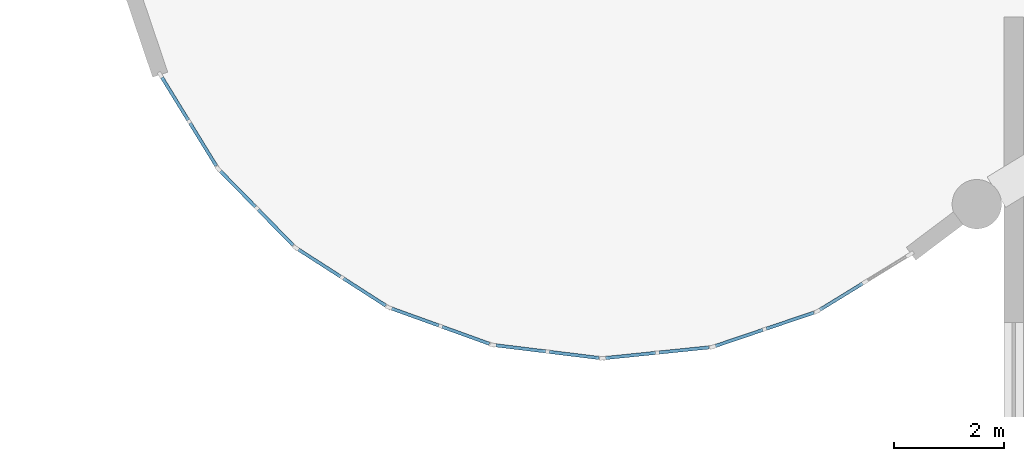
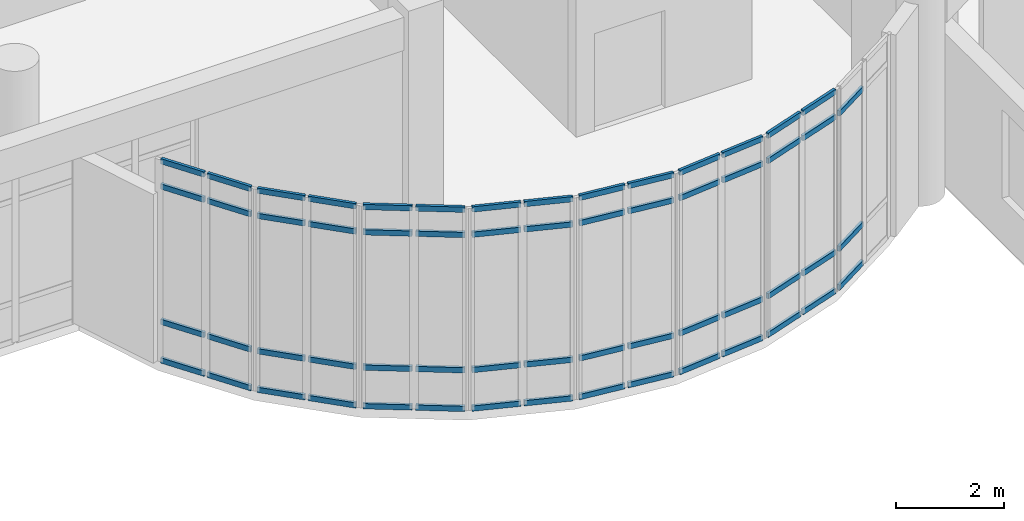
# One storey, part 34 of 68: 59 members, 8 elements without a shape of their own.
"""IFC4 building model written with IfcOpenShell, lengths in metres."""

from ifc_helpers import new_model, si_unit, direction, frame, origin, origin_2d, place, context, subcontext, project, spatial, rectangle, extrude, material, layer, layer_set, material_profile, profile_set, type_object, element, aggregate, save


model = new_model("IFC4")

# Units and contexts
model_context = context("Model", 3, precision=1e-05, world=origin(), true_north=direction((0.0, 1.0)))
body_context = subcontext(model_context, "Body", "Model", "MODEL_VIEW")
ifc_project = project(units=[si_unit("LENGTHUNIT", "METRE"), si_unit("AREAUNIT", "SQUARE_METRE"), si_unit("VOLUMEUNIT", "CUBIC_METRE"), si_unit("PLANEANGLEUNIT", "RADIAN"), si_unit("MASSUNIT", "GRAM", prefix="KILO")], contexts=[model_context])

# Site, building, storey
site_placement = place(None, origin())
site = spatial("IfcSite", under=ifc_project, at=site_placement, CompositionType="ELEMENT")
building_placement = place(site_placement, origin())
building = spatial("IfcBuilding", under=site, at=building_placement, Name="Miralva Faculty of Natural Sciences", CompositionType="ELEMENT")
storey_placement = place(building_placement, frame((0.0, 0.0, 5.39990234375)))
storey = spatial("IfcBuildingStorey", under=building, at=storey_placement, Name="L01", CompositionType="ELEMENT", Elevation=5.39990234375)

# Curtain wall, members
ifc_material_1 = material(Name="Laminated solar-control glass", Category="glass")
ifc_layer = layer(ifc_material_1, 0.179931640625, Name="CW-RND-L01")
ifc_layer_set = layer_set([ifc_layer], Name="Laminated solar-control glass")
curtain_wall_type = type_object("IfcCurtainWallType", Name="CW-RND-L01", PredefinedType="USERDEFINED", material=ifc_layer_set)
curtain_wall_1_placement = place(storey_placement, origin())
curtain_wall_1 = element("IfcCurtainWall", 1, at=curtain_wall_1_placement, inside=storey, type_object=curtain_wall_type, Name="Curtain wall CW-05 L01-47", ObjectType="UNITISED CURTAIN WALL", PredefinedType="USERDEFINED")
ifc_material_2 = material(Name="Anodised aluminium", Category="aluminium")
ifc_material_profile = material_profile(ifc_material_2, rectangle(XDim=0.06005859375, YDim=0.1201171875, at=origin_2d()), Name="TRANSOM 60x120")
ifc_profile_set = profile_set([ifc_material_profile], Name="Anodised aluminium")
member_type = type_object("IfcMemberType", Name="CW-T02", PredefinedType="USERDEFINED", material=ifc_profile_set)
member_1_placement = place(storey_placement, frame((61.864990234375, 11.86328125, 0.030029296875), z_axis=(0.852016327326, 0.52351521274, 0.0), x_axis=(-0.52351521274, 0.852016327326, 0.0)))
member_1 = element("IfcMember", 2, at=member_1_placement, type_object=member_type, Name="CW-05 transom 1.1", ObjectType="TRANSOM", PredefinedType="USERDEFINED", context=body_context, shape_type="SweptSolid", body=[
    extrude(rectangle(XDim=0.06005859375, YDim=0.1201171875, at=origin_2d()), origin(), (0.0, 0.0, 1.0), 0.91259765625),
])
member_2_placement = place(storey_placement, frame((61.864990234375, 11.86328125, 0.900146484375), z_axis=(0.852016327326, 0.52351521274, 0.0), x_axis=(-0.52351521274, 0.852016327326, 0.0)))
member_2 = element("IfcMember", 3, at=member_2_placement, type_object=member_type, Name="CW-05 transom 1.2", ObjectType="TRANSOM", PredefinedType="USERDEFINED", context=body_context, shape_type="SweptSolid", body=[
    extrude(rectangle(XDim=0.06005859375, YDim=0.1201171875, at=origin_2d()), origin(), (0.0, 0.0, 1.0), 0.91259765625),
])
member_3_placement = place(storey_placement, frame((61.864990234375, 11.86328125, 3.9501953125), z_axis=(0.852016327326, 0.52351521274, 0.0), x_axis=(-0.52351521274, 0.852016327326, 0.0)))
member_3 = element("IfcMember", 4, at=member_3_placement, type_object=member_type, Name="CW-05 transom 1.3", ObjectType="TRANSOM", PredefinedType="USERDEFINED", context=body_context, shape_type="SweptSolid", body=[
    extrude(rectangle(XDim=0.06005859375, YDim=0.1201171875, at=origin_2d()), origin(), (0.0, 0.0, 1.0), 0.91259765625),
])
aggregate(curtain_wall_1, [member_1, member_2, member_3])

curtain_wall_2_placement = place(storey_placement, origin())
curtain_wall_2 = element("IfcCurtainWall", 5, at=curtain_wall_2_placement, inside=storey, type_object=curtain_wall_type, Name="Curtain wall CW-05 L01-48", ObjectType="UNITISED CURTAIN WALL", PredefinedType="USERDEFINED")
member_4_placement = place(storey_placement, frame((59.962158203125, 11.20361328125, 0.030029296875), z_axis=(0.947174722358, 0.32071801528, 0.0), x_axis=(-0.32071801528, 0.947174722358, 0.0)))
member_4 = element("IfcMember", 6, at=member_4_placement, type_object=member_type, Name="CW-05 transom 1.1", ObjectType="TRANSOM", PredefinedType="USERDEFINED", context=body_context, shape_type="SweptSolid", body=[
    extrude(rectangle(XDim=0.06005859375, YDim=0.1201171875, at=origin_2d()), origin(), (0.0, 0.0, 1.0), 0.91259765625),
])
member_5_placement = place(storey_placement, frame((59.962158203125, 11.20361328125, 0.900146484375), z_axis=(0.947174722358, 0.32071801528, 0.0), x_axis=(-0.32071801528, 0.947174722358, 0.0)))
member_5 = element("IfcMember", 7, at=member_5_placement, type_object=member_type, Name="CW-05 transom 1.2", ObjectType="TRANSOM", PredefinedType="USERDEFINED", context=body_context, shape_type="SweptSolid", body=[
    extrude(rectangle(XDim=0.06005859375, YDim=0.1201171875, at=origin_2d()), origin(), (0.0, 0.0, 1.0), 0.91259765625),
])
member_6_placement = place(storey_placement, frame((59.962158203125, 11.20361328125, 3.9501953125), z_axis=(0.947174722358, 0.32071801528, 0.0), x_axis=(-0.32071801528, 0.947174722358, 0.0)))
member_6 = element("IfcMember", 8, at=member_6_placement, type_object=member_type, Name="CW-05 transom 1.3", ObjectType="TRANSOM", PredefinedType="USERDEFINED", context=body_context, shape_type="SweptSolid", body=[
    extrude(rectangle(XDim=0.06005859375, YDim=0.1201171875, at=origin_2d()), origin(), (0.0, 0.0, 1.0), 0.91259765625),
])
member_7_placement = place(storey_placement, frame((59.962158203125, 11.20361328125, 4.52001953125), z_axis=(0.947174722358, 0.32071801528, 0.0), x_axis=(-0.32071801528, 0.947174722358, 0.0)))
member_7 = element("IfcMember", 9, at=member_7_placement, type_object=member_type, Name="CW-05 transom 1.4", ObjectType="TRANSOM", PredefinedType="USERDEFINED", context=body_context, shape_type="SweptSolid", body=[
    extrude(rectangle(XDim=0.06005859375, YDim=0.1201171875, at=origin_2d()), origin(), (0.0, 0.0, 1.0), 0.91259765625),
])
member_8_placement = place(storey_placement, frame((60.88818359375, 11.517333984375, 0.030029296875), z_axis=(0.947174722358, 0.32071801528, 0.0), x_axis=(-0.32071801528, 0.947174722358, 0.0)))
member_8 = element("IfcMember", 10, at=member_8_placement, type_object=member_type, Name="CW-05 transom 2.1", ObjectType="TRANSOM", PredefinedType="USERDEFINED", context=body_context, shape_type="SweptSolid", body=[
    extrude(rectangle(XDim=0.06005859375, YDim=0.1201171875, at=origin_2d()), origin(), (0.0, 0.0, 1.0), 0.91259765625),
])
member_9_placement = place(storey_placement, frame((60.88818359375, 11.517333984375, 0.900146484375), z_axis=(0.947174722358, 0.32071801528, 0.0), x_axis=(-0.32071801528, 0.947174722358, 0.0)))
member_9 = element("IfcMember", 11, at=member_9_placement, type_object=member_type, Name="CW-05 transom 2.2", ObjectType="TRANSOM", PredefinedType="USERDEFINED", context=body_context, shape_type="SweptSolid", body=[
    extrude(rectangle(XDim=0.06005859375, YDim=0.1201171875, at=origin_2d()), origin(), (0.0, 0.0, 1.0), 0.91259765625),
])
member_10_placement = place(storey_placement, frame((60.88818359375, 11.517333984375, 3.9501953125), z_axis=(0.947174722358, 0.32071801528, 0.0), x_axis=(-0.32071801528, 0.947174722358, 0.0)))
member_10 = element("IfcMember", 12, at=member_10_placement, type_object=member_type, Name="CW-05 transom 2.3", ObjectType="TRANSOM", PredefinedType="USERDEFINED", context=body_context, shape_type="SweptSolid", body=[
    extrude(rectangle(XDim=0.06005859375, YDim=0.1201171875, at=origin_2d()), origin(), (0.0, 0.0, 1.0), 0.91259765625),
])
member_11_placement = place(storey_placement, frame((60.88818359375, 11.517333984375, 4.52001953125), z_axis=(0.947174722358, 0.32071801528, 0.0), x_axis=(-0.32071801528, 0.947174722358, 0.0)))
member_11 = element("IfcMember", 13, at=member_11_placement, type_object=member_type, Name="CW-05 transom 2.4", ObjectType="TRANSOM", PredefinedType="USERDEFINED", context=body_context, shape_type="SweptSolid", body=[
    extrude(rectangle(XDim=0.06005859375, YDim=0.1201171875, at=origin_2d()), origin(), (0.0, 0.0, 1.0), 0.91259765625),
])
aggregate(curtain_wall_2, [member_4, member_5, member_6, member_7, member_8, member_9, member_10, member_11])

curtain_wall_3_placement = place(storey_placement, origin())
curtain_wall_3 = element("IfcCurtainWall", 14, at=curtain_wall_3_placement, inside=storey, type_object=curtain_wall_type, Name="Curtain wall CW-05 L01-49", ObjectType="UNITISED CURTAIN WALL", PredefinedType="USERDEFINED")
member_12_placement = place(storey_placement, frame((57.96044921875, 10.983642578125, 0.030029296875), z_axis=(0.994766112877, 0.102178180995, 0.0), x_axis=(-0.102178180995, 0.994766112877, 0.0)))
member_12 = element("IfcMember", 15, at=member_12_placement, type_object=member_type, Name="CW-05 transom 1.1", ObjectType="TRANSOM", PredefinedType="USERDEFINED", context=body_context, shape_type="SweptSolid", body=[
    extrude(rectangle(XDim=0.06005859375, YDim=0.1201171875, at=origin_2d()), origin(), (0.0, 0.0, 1.0), 0.912841796875),
])
member_13_placement = place(storey_placement, frame((57.96044921875, 10.983642578125, 0.900146484375), z_axis=(0.994766112877, 0.102178180995, 0.0), x_axis=(-0.102178180995, 0.994766112877, 0.0)))
member_13 = element("IfcMember", 16, at=member_13_placement, type_object=member_type, Name="CW-05 transom 1.2", ObjectType="TRANSOM", PredefinedType="USERDEFINED", context=body_context, shape_type="SweptSolid", body=[
    extrude(rectangle(XDim=0.06005859375, YDim=0.1201171875, at=origin_2d()), origin(), (0.0, 0.0, 1.0), 0.912841796875),
])
member_14_placement = place(storey_placement, frame((57.96044921875, 10.983642578125, 3.9501953125), z_axis=(0.994766112877, 0.102178180995, 0.0), x_axis=(-0.102178180995, 0.994766112877, 0.0)))
member_14 = element("IfcMember", 17, at=member_14_placement, type_object=member_type, Name="CW-05 transom 1.3", ObjectType="TRANSOM", PredefinedType="USERDEFINED", context=body_context, shape_type="SweptSolid", body=[
    extrude(rectangle(XDim=0.06005859375, YDim=0.1201171875, at=origin_2d()), origin(), (0.0, 0.0, 1.0), 0.912841796875),
])
member_15_placement = place(storey_placement, frame((57.96044921875, 10.983642578125, 4.52001953125), z_axis=(0.994766112877, 0.102178180995, 0.0), x_axis=(-0.102178180995, 0.994766112877, 0.0)))
member_15 = element("IfcMember", 18, at=member_15_placement, type_object=member_type, Name="CW-05 transom 1.4", ObjectType="TRANSOM", PredefinedType="USERDEFINED", context=body_context, shape_type="SweptSolid", body=[
    extrude(rectangle(XDim=0.06005859375, YDim=0.1201171875, at=origin_2d()), origin(), (0.0, 0.0, 1.0), 0.912841796875),
])
member_16_placement = place(storey_placement, frame((58.93310546875, 11.08349609375, 0.030029296875), z_axis=(0.994793266196, 0.101913480619, 0.0), x_axis=(-0.101913480619, 0.994793266196, 0.0)))
member_16 = element("IfcMember", 19, at=member_16_placement, type_object=member_type, Name="CW-05 transom 2.1", ObjectType="TRANSOM", PredefinedType="USERDEFINED", context=body_context, shape_type="SweptSolid", body=[
    extrude(rectangle(XDim=0.06005859375, YDim=0.1201171875, at=origin_2d()), origin(), (0.0, 0.0, 1.0), 0.91259765625),
])
member_17_placement = place(storey_placement, frame((58.93310546875, 11.08349609375, 0.900146484375), z_axis=(0.994793266196, 0.101913480619, 0.0), x_axis=(-0.101913480619, 0.994793266196, 0.0)))
member_17 = element("IfcMember", 20, at=member_17_placement, type_object=member_type, Name="CW-05 transom 2.2", ObjectType="TRANSOM", PredefinedType="USERDEFINED", context=body_context, shape_type="SweptSolid", body=[
    extrude(rectangle(XDim=0.06005859375, YDim=0.1201171875, at=origin_2d()), origin(), (0.0, 0.0, 1.0), 0.91259765625),
])
member_18_placement = place(storey_placement, frame((58.93310546875, 11.08349609375, 3.9501953125), z_axis=(0.994793266196, 0.101913480619, 0.0), x_axis=(-0.101913480619, 0.994793266196, 0.0)))
member_18 = element("IfcMember", 21, at=member_18_placement, type_object=member_type, Name="CW-05 transom 2.3", ObjectType="TRANSOM", PredefinedType="USERDEFINED", context=body_context, shape_type="SweptSolid", body=[
    extrude(rectangle(XDim=0.06005859375, YDim=0.1201171875, at=origin_2d()), origin(), (0.0, 0.0, 1.0), 0.91259765625),
])
member_19_placement = place(storey_placement, frame((58.93310546875, 11.08349609375, 4.52001953125), z_axis=(0.994793266196, 0.101913480619, 0.0), x_axis=(-0.101913480619, 0.994793266196, 0.0)))
member_19 = element("IfcMember", 22, at=member_19_placement, type_object=member_type, Name="CW-05 transom 2.4", ObjectType="TRANSOM", PredefinedType="USERDEFINED", context=body_context, shape_type="SweptSolid", body=[
    extrude(rectangle(XDim=0.06005859375, YDim=0.1201171875, at=origin_2d()), origin(), (0.0, 0.0, 1.0), 0.91259765625),
])
aggregate(curtain_wall_3, [member_12, member_13, member_14, member_15, member_16, member_17, member_18, member_19])

curtain_wall_4_placement = place(storey_placement, origin())
curtain_wall_4 = element("IfcCurtainWall", 23, at=curtain_wall_4_placement, inside=storey, type_object=curtain_wall_type, Name="Curtain wall CW-05 L01-50", ObjectType="UNITISED CURTAIN WALL", PredefinedType="USERDEFINED")
member_20_placement = place(storey_placement, frame((55.9599609375, 11.214599609375, 0.030029296875), z_axis=(0.99256727955, -0.121697146913, 0.0), x_axis=(0.121697146913, 0.99256727955, 0.0)))
member_20 = element("IfcMember", 24, at=member_20_placement, type_object=member_type, Name="CW-05 transom 1.1", ObjectType="TRANSOM", PredefinedType="USERDEFINED", context=body_context, shape_type="SweptSolid", body=[
    extrude(rectangle(XDim=0.06005859375, YDim=0.1201171875, at=origin_2d()), origin(), (0.0, 0.0, 1.0), 0.912841796875),
])
member_21_placement = place(storey_placement, frame((55.9599609375, 11.214599609375, 0.900146484375), z_axis=(0.99256727955, -0.121697146913, 0.0), x_axis=(0.121697146913, 0.99256727955, 0.0)))
member_21 = element("IfcMember", 25, at=member_21_placement, type_object=member_type, Name="CW-05 transom 1.2", ObjectType="TRANSOM", PredefinedType="USERDEFINED", context=body_context, shape_type="SweptSolid", body=[
    extrude(rectangle(XDim=0.06005859375, YDim=0.1201171875, at=origin_2d()), origin(), (0.0, 0.0, 1.0), 0.912841796875),
])
member_22_placement = place(storey_placement, frame((55.9599609375, 11.214599609375, 3.9501953125), z_axis=(0.99256727955, -0.121697146913, 0.0), x_axis=(0.121697146913, 0.99256727955, 0.0)))
member_22 = element("IfcMember", 26, at=member_22_placement, type_object=member_type, Name="CW-05 transom 1.3", ObjectType="TRANSOM", PredefinedType="USERDEFINED", context=body_context, shape_type="SweptSolid", body=[
    extrude(rectangle(XDim=0.06005859375, YDim=0.1201171875, at=origin_2d()), origin(), (0.0, 0.0, 1.0), 0.912841796875),
])
member_23_placement = place(storey_placement, frame((55.9599609375, 11.214599609375, 4.52001953125), z_axis=(0.99256727955, -0.121697146913, 0.0), x_axis=(0.121697146913, 0.99256727955, 0.0)))
member_23 = element("IfcMember", 27, at=member_23_placement, type_object=member_type, Name="CW-05 transom 1.4", ObjectType="TRANSOM", PredefinedType="USERDEFINED", context=body_context, shape_type="SweptSolid", body=[
    extrude(rectangle(XDim=0.06005859375, YDim=0.1201171875, at=origin_2d()), origin(), (0.0, 0.0, 1.0), 0.912841796875),
])
member_24_placement = place(storey_placement, frame((56.930419921875, 11.095458984375, 0.030029296875), z_axis=(0.992563316744, -0.121729463374, 0.0), x_axis=(0.121729463374, 0.992563316744, 0.0)))
member_24 = element("IfcMember", 28, at=member_24_placement, type_object=member_type, Name="CW-05 transom 2.1", ObjectType="TRANSOM", PredefinedType="USERDEFINED", context=body_context, shape_type="SweptSolid", body=[
    extrude(rectangle(XDim=0.06005859375, YDim=0.1201171875, at=origin_2d()), origin(), (0.0, 0.0, 1.0), 0.91259765625),
])
member_25_placement = place(storey_placement, frame((56.930419921875, 11.095458984375, 0.900146484375), z_axis=(0.992563316744, -0.121729463374, 0.0), x_axis=(0.121729463374, 0.992563316744, 0.0)))
member_25 = element("IfcMember", 29, at=member_25_placement, type_object=member_type, Name="CW-05 transom 2.2", ObjectType="TRANSOM", PredefinedType="USERDEFINED", context=body_context, shape_type="SweptSolid", body=[
    extrude(rectangle(XDim=0.06005859375, YDim=0.1201171875, at=origin_2d()), origin(), (0.0, 0.0, 1.0), 0.91259765625),
])
member_26_placement = place(storey_placement, frame((56.930419921875, 11.095458984375, 3.9501953125), z_axis=(0.992563316744, -0.121729463374, 0.0), x_axis=(0.121729463374, 0.992563316744, 0.0)))
member_26 = element("IfcMember", 30, at=member_26_placement, type_object=member_type, Name="CW-05 transom 2.3", ObjectType="TRANSOM", PredefinedType="USERDEFINED", context=body_context, shape_type="SweptSolid", body=[
    extrude(rectangle(XDim=0.06005859375, YDim=0.1201171875, at=origin_2d()), origin(), (0.0, 0.0, 1.0), 0.91259765625),
])
member_27_placement = place(storey_placement, frame((56.930419921875, 11.095458984375, 4.52001953125), z_axis=(0.992563316744, -0.121729463374, 0.0), x_axis=(0.121729463374, 0.992563316744, 0.0)))
member_27 = element("IfcMember", 31, at=member_27_placement, type_object=member_type, Name="CW-05 transom 2.4", ObjectType="TRANSOM", PredefinedType="USERDEFINED", context=body_context, shape_type="SweptSolid", body=[
    extrude(rectangle(XDim=0.06005859375, YDim=0.1201171875, at=origin_2d()), origin(), (0.0, 0.0, 1.0), 0.91259765625),
])
aggregate(curtain_wall_4, [member_20, member_21, member_22, member_23, member_24, member_25, member_26, member_27])

curtain_wall_5_placement = place(storey_placement, origin())
curtain_wall_5 = element("IfcCurtainWall", 32, at=curtain_wall_5_placement, inside=storey, type_object=curtain_wall_type, Name="Curtain wall CW-05 L01-51", ObjectType="UNITISED CURTAIN WALL", PredefinedType="USERDEFINED")
member_28_placement = place(storey_placement, frame((54.06103515625, 11.885009765625, 0.030029296875), z_axis=(0.94061086064, -0.339486684344, 0.0), x_axis=(0.339486684344, 0.94061086064, 0.0)))
member_28 = element("IfcMember", 33, at=member_28_placement, type_object=member_type, Name="CW-05 transom 1.1", ObjectType="TRANSOM", PredefinedType="USERDEFINED", context=body_context, shape_type="SweptSolid", body=[
    extrude(rectangle(XDim=0.06005859375, YDim=0.1201171875, at=origin_2d()), origin(), (0.0, 0.0, 1.0), 0.91259765625),
])
member_29_placement = place(storey_placement, frame((54.06103515625, 11.885009765625, 0.900146484375), z_axis=(0.94061086064, -0.339486684344, 0.0), x_axis=(0.339486684344, 0.94061086064, 0.0)))
member_29 = element("IfcMember", 34, at=member_29_placement, type_object=member_type, Name="CW-05 transom 1.2", ObjectType="TRANSOM", PredefinedType="USERDEFINED", context=body_context, shape_type="SweptSolid", body=[
    extrude(rectangle(XDim=0.06005859375, YDim=0.1201171875, at=origin_2d()), origin(), (0.0, 0.0, 1.0), 0.91259765625),
])
member_30_placement = place(storey_placement, frame((54.06103515625, 11.885009765625, 3.9501953125), z_axis=(0.94061086064, -0.339486684344, 0.0), x_axis=(0.339486684344, 0.94061086064, 0.0)))
member_30 = element("IfcMember", 35, at=member_30_placement, type_object=member_type, Name="CW-05 transom 1.3", ObjectType="TRANSOM", PredefinedType="USERDEFINED", context=body_context, shape_type="SweptSolid", body=[
    extrude(rectangle(XDim=0.06005859375, YDim=0.1201171875, at=origin_2d()), origin(), (0.0, 0.0, 1.0), 0.91259765625),
])
member_31_placement = place(storey_placement, frame((54.06103515625, 11.885009765625, 4.52001953125), z_axis=(0.94061086064, -0.339486684344, 0.0), x_axis=(0.339486684344, 0.94061086064, 0.0)))
member_31 = element("IfcMember", 36, at=member_31_placement, type_object=member_type, Name="CW-05 transom 1.4", ObjectType="TRANSOM", PredefinedType="USERDEFINED", context=body_context, shape_type="SweptSolid", body=[
    extrude(rectangle(XDim=0.06005859375, YDim=0.1201171875, at=origin_2d()), origin(), (0.0, 0.0, 1.0), 0.91259765625),
])
member_32_placement = place(storey_placement, frame((54.980712890625, 11.552978515625, 0.030029296875), z_axis=(0.940525411881, -0.339723342744, 0.0), x_axis=(0.339723342744, 0.940525411881, 0.0)))
member_32 = element("IfcMember", 37, at=member_32_placement, type_object=member_type, Name="CW-05 transom 2.1", ObjectType="TRANSOM", PredefinedType="USERDEFINED", context=body_context, shape_type="SweptSolid", body=[
    extrude(rectangle(XDim=0.06005859375, YDim=0.1201171875, at=origin_2d()), origin(), (0.0, 0.0, 1.0), 0.91259765625),
])
member_33_placement = place(storey_placement, frame((54.980712890625, 11.552978515625, 0.900146484375), z_axis=(0.940525411881, -0.339723342744, 0.0), x_axis=(0.339723342744, 0.940525411881, 0.0)))
member_33 = element("IfcMember", 38, at=member_33_placement, type_object=member_type, Name="CW-05 transom 2.2", ObjectType="TRANSOM", PredefinedType="USERDEFINED", context=body_context, shape_type="SweptSolid", body=[
    extrude(rectangle(XDim=0.06005859375, YDim=0.1201171875, at=origin_2d()), origin(), (0.0, 0.0, 1.0), 0.91259765625),
])
member_34_placement = place(storey_placement, frame((54.980712890625, 11.552978515625, 3.9501953125), z_axis=(0.940525411881, -0.339723342744, 0.0), x_axis=(0.339723342744, 0.940525411881, 0.0)))
member_34 = element("IfcMember", 39, at=member_34_placement, type_object=member_type, Name="CW-05 transom 2.3", ObjectType="TRANSOM", PredefinedType="USERDEFINED", context=body_context, shape_type="SweptSolid", body=[
    extrude(rectangle(XDim=0.06005859375, YDim=0.1201171875, at=origin_2d()), origin(), (0.0, 0.0, 1.0), 0.91259765625),
])
member_35_placement = place(storey_placement, frame((54.980712890625, 11.552978515625, 4.52001953125), z_axis=(0.940525411881, -0.339723342744, 0.0), x_axis=(0.339723342744, 0.940525411881, 0.0)))
member_35 = element("IfcMember", 40, at=member_35_placement, type_object=member_type, Name="CW-05 transom 2.4", ObjectType="TRANSOM", PredefinedType="USERDEFINED", context=body_context, shape_type="SweptSolid", body=[
    extrude(rectangle(XDim=0.06005859375, YDim=0.1201171875, at=origin_2d()), origin(), (0.0, 0.0, 1.0), 0.91259765625),
])
aggregate(curtain_wall_5, [member_28, member_29, member_30, member_31, member_32, member_33, member_34, member_35])

curtain_wall_6_placement = place(storey_placement, origin())
curtain_wall_6 = element("IfcCurtainWall", 41, at=curtain_wall_6_placement, inside=storey, type_object=curtain_wall_type, Name="Curtain wall CW-05 L01-52", ObjectType="UNITISED CURTAIN WALL", PredefinedType="USERDEFINED")
member_36_placement = place(storey_placement, frame((52.35888671875, 12.961181640625, 0.030029296875), z_axis=(0.841473826714, -0.540297879836, 0.0), x_axis=(0.540297879836, 0.841473826714, 0.0)))
member_36 = element("IfcMember", 42, at=member_36_placement, type_object=member_type, Name="CW-05 transom 1.1", ObjectType="TRANSOM", PredefinedType="USERDEFINED", context=body_context, shape_type="SweptSolid", body=[
    extrude(rectangle(XDim=0.06005859375, YDim=0.1201171875, at=origin_2d()), origin(), (0.0, 0.0, 1.0), 0.912841796875),
])
member_37_placement = place(storey_placement, frame((52.35888671875, 12.961181640625, 0.900146484375), z_axis=(0.841473826714, -0.540297879836, 0.0), x_axis=(0.540297879836, 0.841473826714, 0.0)))
member_37 = element("IfcMember", 43, at=member_37_placement, type_object=member_type, Name="CW-05 transom 1.2", ObjectType="TRANSOM", PredefinedType="USERDEFINED", context=body_context, shape_type="SweptSolid", body=[
    extrude(rectangle(XDim=0.06005859375, YDim=0.1201171875, at=origin_2d()), origin(), (0.0, 0.0, 1.0), 0.912841796875),
])
member_38_placement = place(storey_placement, frame((52.35888671875, 12.961181640625, 3.9501953125), z_axis=(0.841473826714, -0.540297879836, 0.0), x_axis=(0.540297879836, 0.841473826714, 0.0)))
member_38 = element("IfcMember", 44, at=member_38_placement, type_object=member_type, Name="CW-05 transom 1.3", ObjectType="TRANSOM", PredefinedType="USERDEFINED", context=body_context, shape_type="SweptSolid", body=[
    extrude(rectangle(XDim=0.06005859375, YDim=0.1201171875, at=origin_2d()), origin(), (0.0, 0.0, 1.0), 0.912841796875),
])
member_39_placement = place(storey_placement, frame((52.35888671875, 12.961181640625, 4.52001953125), z_axis=(0.841473826714, -0.540297879836, 0.0), x_axis=(0.540297879836, 0.841473826714, 0.0)))
member_39 = element("IfcMember", 45, at=member_39_placement, type_object=member_type, Name="CW-05 transom 1.4", ObjectType="TRANSOM", PredefinedType="USERDEFINED", context=body_context, shape_type="SweptSolid", body=[
    extrude(rectangle(XDim=0.06005859375, YDim=0.1201171875, at=origin_2d()), origin(), (0.0, 0.0, 1.0), 0.912841796875),
])
member_40_placement = place(storey_placement, frame((53.181640625, 12.432861328125, 0.030029296875), z_axis=(0.841395718797, -0.540419507781, 0.0), x_axis=(0.540419507781, 0.841395718797, 0.0)))
member_40 = element("IfcMember", 46, at=member_40_placement, type_object=member_type, Name="CW-05 transom 2.1", ObjectType="TRANSOM", PredefinedType="USERDEFINED", context=body_context, shape_type="SweptSolid", body=[
    extrude(rectangle(XDim=0.06005859375, YDim=0.1201171875, at=origin_2d()), origin(), (0.0, 0.0, 1.0), 0.91259765625),
])
member_41_placement = place(storey_placement, frame((53.181640625, 12.432861328125, 0.900146484375), z_axis=(0.841395718797, -0.540419507781, 0.0), x_axis=(0.540419507781, 0.841395718797, 0.0)))
member_41 = element("IfcMember", 47, at=member_41_placement, type_object=member_type, Name="CW-05 transom 2.2", ObjectType="TRANSOM", PredefinedType="USERDEFINED", context=body_context, shape_type="SweptSolid", body=[
    extrude(rectangle(XDim=0.06005859375, YDim=0.1201171875, at=origin_2d()), origin(), (0.0, 0.0, 1.0), 0.91259765625),
])
member_42_placement = place(storey_placement, frame((53.181640625, 12.432861328125, 3.9501953125), z_axis=(0.841395718797, -0.540419507781, 0.0), x_axis=(0.540419507781, 0.841395718797, 0.0)))
member_42 = element("IfcMember", 48, at=member_42_placement, type_object=member_type, Name="CW-05 transom 2.3", ObjectType="TRANSOM", PredefinedType="USERDEFINED", context=body_context, shape_type="SweptSolid", body=[
    extrude(rectangle(XDim=0.06005859375, YDim=0.1201171875, at=origin_2d()), origin(), (0.0, 0.0, 1.0), 0.91259765625),
])
member_43_placement = place(storey_placement, frame((53.181640625, 12.432861328125, 4.52001953125), z_axis=(0.841395718797, -0.540419507781, 0.0), x_axis=(0.540419507781, 0.841395718797, 0.0)))
member_43 = element("IfcMember", 49, at=member_43_placement, type_object=member_type, Name="CW-05 transom 2.4", ObjectType="TRANSOM", PredefinedType="USERDEFINED", context=body_context, shape_type="SweptSolid", body=[
    extrude(rectangle(XDim=0.06005859375, YDim=0.1201171875, at=origin_2d()), origin(), (0.0, 0.0, 1.0), 0.91259765625),
])
aggregate(curtain_wall_6, [member_36, member_37, member_38, member_39, member_40, member_41, member_42, member_43])

curtain_wall_7_placement = place(storey_placement, origin())
curtain_wall_7 = element("IfcCurtainWall", 50, at=curtain_wall_7_placement, inside=storey, type_object=curtain_wall_type, Name="Curtain wall CW-05 L01-53", ObjectType="UNITISED CURTAIN WALL", PredefinedType="USERDEFINED")
member_44_placement = place(storey_placement, frame((50.93896484375, 14.38916015625, 0.030029296875), z_axis=(0.699983155997, -0.71415935289, 0.0), x_axis=(0.71415935289, 0.699983155997, 0.0)))
member_44 = element("IfcMember", 51, at=member_44_placement, type_object=member_type, Name="CW-05 transom 1.1", ObjectType="TRANSOM", PredefinedType="USERDEFINED", context=body_context, shape_type="SweptSolid", body=[
    extrude(rectangle(XDim=0.06005859375, YDim=0.1201171875, at=origin_2d()), origin(), (0.0, 0.0, 1.0), 0.912841796875),
])
member_45_placement = place(storey_placement, frame((50.93896484375, 14.38916015625, 0.900146484375), z_axis=(0.699983155997, -0.71415935289, 0.0), x_axis=(0.71415935289, 0.699983155997, 0.0)))
member_45 = element("IfcMember", 52, at=member_45_placement, type_object=member_type, Name="CW-05 transom 1.2", ObjectType="TRANSOM", PredefinedType="USERDEFINED", context=body_context, shape_type="SweptSolid", body=[
    extrude(rectangle(XDim=0.06005859375, YDim=0.1201171875, at=origin_2d()), origin(), (0.0, 0.0, 1.0), 0.912841796875),
])
member_46_placement = place(storey_placement, frame((50.93896484375, 14.38916015625, 3.9501953125), z_axis=(0.699983155997, -0.71415935289, 0.0), x_axis=(0.71415935289, 0.699983155997, 0.0)))
member_46 = element("IfcMember", 53, at=member_46_placement, type_object=member_type, Name="CW-05 transom 1.3", ObjectType="TRANSOM", PredefinedType="USERDEFINED", context=body_context, shape_type="SweptSolid", body=[
    extrude(rectangle(XDim=0.06005859375, YDim=0.1201171875, at=origin_2d()), origin(), (0.0, 0.0, 1.0), 0.912841796875),
])
member_47_placement = place(storey_placement, frame((50.93896484375, 14.38916015625, 4.52001953125), z_axis=(0.699983155997, -0.71415935289, 0.0), x_axis=(0.71415935289, 0.699983155997, 0.0)))
member_47 = element("IfcMember", 54, at=member_47_placement, type_object=member_type, Name="CW-05 transom 1.4", ObjectType="TRANSOM", PredefinedType="USERDEFINED", context=body_context, shape_type="SweptSolid", body=[
    extrude(rectangle(XDim=0.06005859375, YDim=0.1201171875, at=origin_2d()), origin(), (0.0, 0.0, 1.0), 0.912841796875),
])
member_48_placement = place(storey_placement, frame((51.623291015625, 13.69091796875, 0.030029296875), z_axis=(0.700116880098, -0.714028258686, 0.0), x_axis=(0.714028258686, 0.700116880098, 0.0)))
member_48 = element("IfcMember", 55, at=member_48_placement, type_object=member_type, Name="CW-05 transom 2.1", ObjectType="TRANSOM", PredefinedType="USERDEFINED", context=body_context, shape_type="SweptSolid", body=[
    extrude(rectangle(XDim=0.06005859375, YDim=0.1201171875, at=origin_2d()), origin(), (0.0, 0.0, 1.0), 0.91259765625),
])
member_49_placement = place(storey_placement, frame((51.623291015625, 13.69091796875, 0.900146484375), z_axis=(0.700116880098, -0.714028258686, 0.0), x_axis=(0.714028258686, 0.700116880098, 0.0)))
member_49 = element("IfcMember", 56, at=member_49_placement, type_object=member_type, Name="CW-05 transom 2.2", ObjectType="TRANSOM", PredefinedType="USERDEFINED", context=body_context, shape_type="SweptSolid", body=[
    extrude(rectangle(XDim=0.06005859375, YDim=0.1201171875, at=origin_2d()), origin(), (0.0, 0.0, 1.0), 0.91259765625),
])
member_50_placement = place(storey_placement, frame((51.623291015625, 13.69091796875, 3.9501953125), z_axis=(0.700116880098, -0.714028258686, 0.0), x_axis=(0.714028258686, 0.700116880098, 0.0)))
member_50 = element("IfcMember", 57, at=member_50_placement, type_object=member_type, Name="CW-05 transom 2.3", ObjectType="TRANSOM", PredefinedType="USERDEFINED", context=body_context, shape_type="SweptSolid", body=[
    extrude(rectangle(XDim=0.06005859375, YDim=0.1201171875, at=origin_2d()), origin(), (0.0, 0.0, 1.0), 0.91259765625),
])
member_51_placement = place(storey_placement, frame((51.623291015625, 13.69091796875, 4.52001953125), z_axis=(0.700116880098, -0.714028258686, 0.0), x_axis=(0.714028258686, 0.700116880098, 0.0)))
member_51 = element("IfcMember", 58, at=member_51_placement, type_object=member_type, Name="CW-05 transom 2.4", ObjectType="TRANSOM", PredefinedType="USERDEFINED", context=body_context, shape_type="SweptSolid", body=[
    extrude(rectangle(XDim=0.06005859375, YDim=0.1201171875, at=origin_2d()), origin(), (0.0, 0.0, 1.0), 0.91259765625),
])
aggregate(curtain_wall_7, [member_44, member_45, member_46, member_47, member_48, member_49, member_50, member_51])

curtain_wall_8_placement = place(storey_placement, origin())
curtain_wall_8 = element("IfcCurtainWall", 59, at=curtain_wall_8_placement, inside=storey, type_object=curtain_wall_type, Name="Curtain wall CW-05 L01-54", ObjectType="UNITISED CURTAIN WALL", PredefinedType="USERDEFINED")
member_52_placement = place(storey_placement, frame((49.872314453125, 16.097412109375, 0.030029296875), z_axis=(0.523395914124, -0.852089617986, 0.0), x_axis=(0.852089617986, 0.523395914124, 0.0)))
member_52 = element("IfcMember", 60, at=member_52_placement, type_object=member_type, Name="CW-05 transom 1.1", ObjectType="TRANSOM", PredefinedType="USERDEFINED", context=body_context, shape_type="SweptSolid", body=[
    extrude(rectangle(XDim=0.06005859375, YDim=0.1201171875, at=origin_2d()), origin(), (0.0, 0.0, 1.0), 0.912841796875),
])
member_53_placement = place(storey_placement, frame((49.872314453125, 16.097412109375, 0.900146484375), z_axis=(0.523395914124, -0.852089617986, 0.0), x_axis=(0.852089617986, 0.523395914124, 0.0)))
member_53 = element("IfcMember", 61, at=member_53_placement, type_object=member_type, Name="CW-05 transom 1.2", ObjectType="TRANSOM", PredefinedType="USERDEFINED", context=body_context, shape_type="SweptSolid", body=[
    extrude(rectangle(XDim=0.06005859375, YDim=0.1201171875, at=origin_2d()), origin(), (0.0, 0.0, 1.0), 0.912841796875),
])
member_54_placement = place(storey_placement, frame((49.872314453125, 16.097412109375, 3.9501953125), z_axis=(0.523395914124, -0.852089617986, 0.0), x_axis=(0.852089617986, 0.523395914124, 0.0)))
member_54 = element("IfcMember", 62, at=member_54_placement, type_object=member_type, Name="CW-05 transom 1.3", ObjectType="TRANSOM", PredefinedType="USERDEFINED", context=body_context, shape_type="SweptSolid", body=[
    extrude(rectangle(XDim=0.06005859375, YDim=0.1201171875, at=origin_2d()), origin(), (0.0, 0.0, 1.0), 0.912841796875),
])
member_55_placement = place(storey_placement, frame((49.872314453125, 16.097412109375, 4.52001953125), z_axis=(0.523395914124, -0.852089617986, 0.0), x_axis=(0.852089617986, 0.523395914124, 0.0)))
member_55 = element("IfcMember", 63, at=member_55_placement, type_object=member_type, Name="CW-05 transom 1.4", ObjectType="TRANSOM", PredefinedType="USERDEFINED", context=body_context, shape_type="SweptSolid", body=[
    extrude(rectangle(XDim=0.06005859375, YDim=0.1201171875, at=origin_2d()), origin(), (0.0, 0.0, 1.0), 0.912841796875),
])
member_56_placement = place(storey_placement, frame((50.38427734375, 15.264404296875, 0.030029296875), z_axis=(0.523395914124, -0.852089617986, 0.0), x_axis=(0.852089617986, 0.523395914124, 0.0)))
member_56 = element("IfcMember", 64, at=member_56_placement, type_object=member_type, Name="CW-05 transom 2.1", ObjectType="TRANSOM", PredefinedType="USERDEFINED", context=body_context, shape_type="SweptSolid", body=[
    extrude(rectangle(XDim=0.06005859375, YDim=0.1201171875, at=origin_2d()), origin(), (0.0, 0.0, 1.0), 0.912841796875),
])
member_57_placement = place(storey_placement, frame((50.38427734375, 15.264404296875, 0.900146484375), z_axis=(0.523395914124, -0.852089617986, 0.0), x_axis=(0.852089617986, 0.523395914124, 0.0)))
member_57 = element("IfcMember", 65, at=member_57_placement, type_object=member_type, Name="CW-05 transom 2.2", ObjectType="TRANSOM", PredefinedType="USERDEFINED", context=body_context, shape_type="SweptSolid", body=[
    extrude(rectangle(XDim=0.06005859375, YDim=0.1201171875, at=origin_2d()), origin(), (0.0, 0.0, 1.0), 0.912841796875),
])
member_58_placement = place(storey_placement, frame((50.38427734375, 15.264404296875, 3.9501953125), z_axis=(0.523395914124, -0.852089617986, 0.0), x_axis=(0.852089617986, 0.523395914124, 0.0)))
member_58 = element("IfcMember", 66, at=member_58_placement, type_object=member_type, Name="CW-05 transom 2.3", ObjectType="TRANSOM", PredefinedType="USERDEFINED", context=body_context, shape_type="SweptSolid", body=[
    extrude(rectangle(XDim=0.06005859375, YDim=0.1201171875, at=origin_2d()), origin(), (0.0, 0.0, 1.0), 0.912841796875),
])
member_59_placement = place(storey_placement, frame((50.38427734375, 15.264404296875, 4.52001953125), z_axis=(0.523395914124, -0.852089617986, 0.0), x_axis=(0.852089617986, 0.523395914124, 0.0)))
member_59 = element("IfcMember", 67, at=member_59_placement, type_object=member_type, Name="CW-05 transom 2.4", ObjectType="TRANSOM", PredefinedType="USERDEFINED", context=body_context, shape_type="SweptSolid", body=[
    extrude(rectangle(XDim=0.06005859375, YDim=0.1201171875, at=origin_2d()), origin(), (0.0, 0.0, 1.0), 0.912841796875),
])
aggregate(curtain_wall_8, [member_52, member_53, member_54, member_55, member_56, member_57, member_58, member_59])

save(model, "model.ifc")
